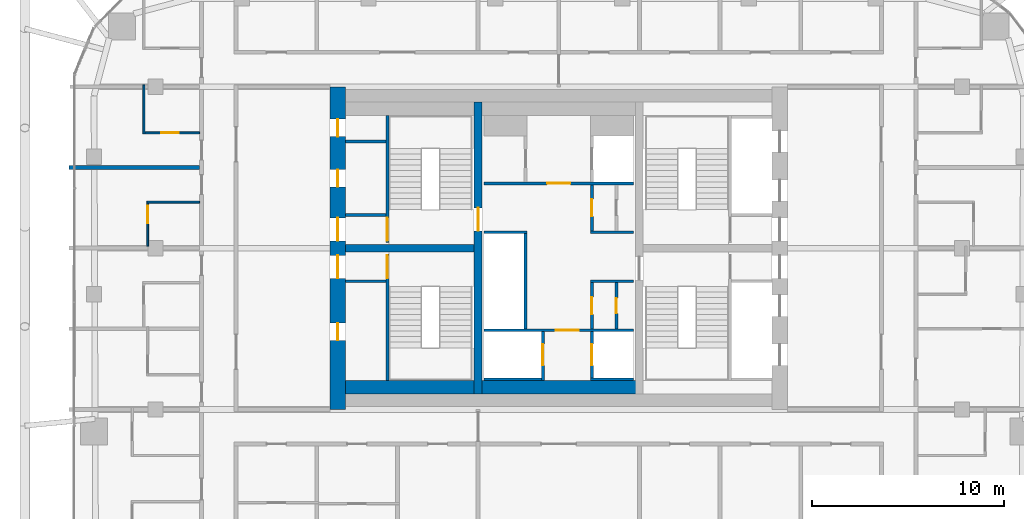
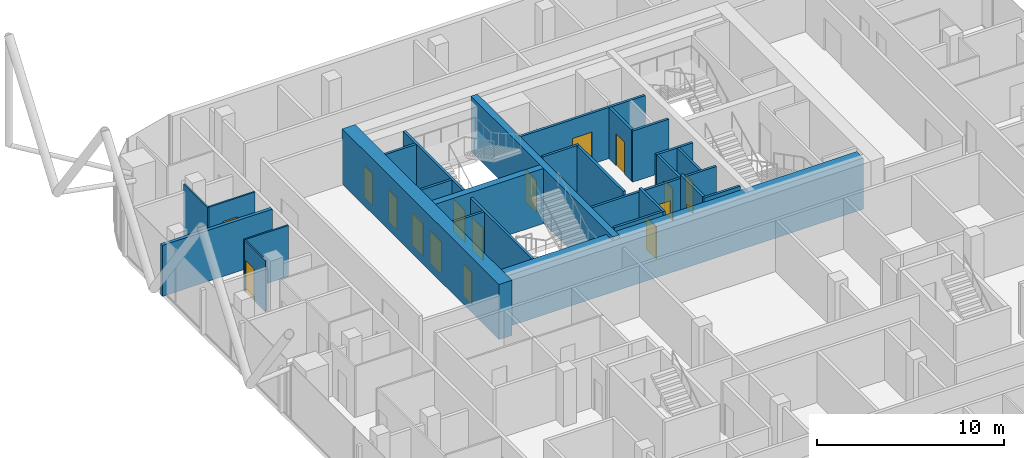
# One storey, part 27 of 31: 27 walls, 17 doors, 17 openings.
"""IFC4 building model written with IfcOpenShell, lengths in metres."""

from ifc_helpers import new_model, si_unit, direction, frame, frame_2d, origin, place, context, subcontext, project, spatial, rectangle, extrude, material, layer, layer_set, type_object, element, fill, save


model = new_model("IFC4")

# Units and contexts
model_context = context("Model", 3, precision=1e-05, world=origin(), true_north=direction((0.0, 1.0)))
body_context = subcontext(model_context, "Body", "Model", "MODEL_VIEW")
ifc_project = project(units=[si_unit("LENGTHUNIT", "METRE"), si_unit("AREAUNIT", "SQUARE_METRE"), si_unit("VOLUMEUNIT", "CUBIC_METRE"), si_unit("PLANEANGLEUNIT", "RADIAN"), si_unit("MASSUNIT", "GRAM", prefix="KILO")], contexts=[model_context])

# Site, building, storey
site_placement = place(None, origin())
site = spatial("IfcSite", under=ifc_project, at=site_placement, CompositionType="ELEMENT")
building_placement = place(site_placement, origin())
building = spatial("IfcBuilding", under=site, at=building_placement, Name="Marenta Gate Hotel Tower", CompositionType="ELEMENT")
storey_placement = place(building_placement, frame((0.0, 0.0, 234.5)))
storey = spatial("IfcBuildingStorey", under=building, at=storey_placement, Name="L55", CompositionType="ELEMENT", Elevation=234.5)

# Wall
ifc_material_1 = material(Name="Concrete C40", Category="concrete")
ifc_layer_1 = layer(ifc_material_1, 0.699951171875)
ifc_layer_set_1 = layer_set([ifc_layer_1], Name="Concrete C40")
wall_type_1 = type_object("IfcWallType", Name="Core lining wall 700 REI 180", PredefinedType="PARTITIONING", material=ifc_layer_set_1)
wall_1_placement = place(storey_placement, frame((-11.10009765625, 1.14990234375, 0.0), z_axis=(0.0, 0.0, 1.0), x_axis=(1.0, 0.0, 0.0)))
element("IfcWall", 1, at=wall_1_placement, inside=storey, type_object=wall_type_1, Name="L55-CP-LN-S", PredefinedType="PARTITIONING", context=body_context, shape_type="SweptSolid", body=[
    extrude(rectangle(XDim=22.2001953125, YDim=0.699951171875, at=frame_2d((11.10009765625, 0.0))), origin(), (0.0, 0.0, 1.0), 3.340087890625),
])

# Wall, opening, door
ifc_material_2 = material(Name="Concrete blockwork", Category="masonry")
ifc_layer_2 = layer(ifc_material_2, 0.14990234375)
ifc_layer_set_2 = layer_set([ifc_layer_2], Name="Concrete blockwork")
wall_type_2 = type_object("IfcWallType", Name="Core lobby partition 150 REI 180", PredefinedType="PARTITIONING", material=ifc_layer_set_2)
wall_2_placement = place(storey_placement, frame((-3.89990234375, 4.125, 0.0), z_axis=(0.0, 0.0, 1.0), x_axis=(1.0, 0.0, 0.0)))
wall_2 = element("IfcWall", 2, at=wall_2_placement, inside=storey, type_object=wall_type_2, Name="L55-CP-CW-S", PredefinedType="PARTITIONING", context=body_context, shape_type="SweptSolid", body=[
    extrude(rectangle(XDim=7.7998046875, YDim=0.14990234375, at=frame_2d((3.89990234375, 0.0))), origin(), (0.0, 0.0, 1.0), 3.340087890625),
])
opening_1_placement = place(wall_2_placement, frame((3.75, 0.0, 0.0)))
opening_1 = element("IfcOpeningElement", 3, at=opening_1_placement, cuts=wall_2, Name="Opening FD-FFS", PredefinedType="OPENING", context=body_context, shape_type="SweptSolid", body=[
    extrude(rectangle(XDim=1.199951171875, YDim=2.10009765625, at=frame_2d((0.60009765625, 1.050048828125))), frame((0.0, 0.074951171875, 0.0), z_axis=(0.0, -1.0, 0.0), x_axis=(1.0, 0.0, 0.0)), (0.0, 0.0, 1.0), 0.14990234375),
])
ifc_material_3 = material(Name="Steel", Category="steel")
door_type_1 = type_object("IfcDoorType", Name="Core lobby door 1200x2100 FD60", OperationType="SINGLE_SWING_LEFT", PredefinedType="DOOR", material=ifc_material_3)
door_1_placement = place(opening_1_placement, origin())
door_1 = element("IfcDoor", 4, at=door_1_placement, inside=storey, type_object=door_type_1, Name="FD-FFS", OperationType="SINGLE_SWING_LEFT", OverallHeight=2.10009765625, OverallWidth=1.199951171875, PredefinedType="DOOR", context=body_context, shape_type="SweptSolid", body=[
    extrude(rectangle(XDim=1.199951171875, YDim=2.10009765625, at=frame_2d((0.60009765625, 1.050048828125))), frame((0.0, 0.02490234375, 0.0), z_axis=(0.0, -1.0, 0.0), x_axis=(1.0, 0.0, 0.0)), (0.0, 0.0, 1.0), 0.050048828125),
])
fill(opening_1, door_1)

wall_3_placement = place(storey_placement, frame((-3.89990234375, 11.77490234375, 0.0), z_axis=(0.0, 0.0, 1.0), x_axis=(1.0, 0.0, 0.0)))
wall_3 = element("IfcWall", 5, at=wall_3_placement, inside=storey, type_object=wall_type_2, Name="L55-CP-CW-N", PredefinedType="PARTITIONING", context=body_context, shape_type="SweptSolid", body=[
    extrude(rectangle(XDim=7.7998046875, YDim=0.14990234375, at=frame_2d((3.89990234375, 0.0))), origin(), (0.0, 0.0, 1.0), 3.340087890625),
])
opening_2_placement = place(wall_3_placement, frame((3.300048828125, 0.0, 0.0)))
opening_2 = element("IfcOpeningElement", 6, at=opening_2_placement, cuts=wall_3, Name="Opening FD-FFN", PredefinedType="OPENING", context=body_context, shape_type="SweptSolid", body=[
    extrude(rectangle(XDim=1.199951171875, YDim=2.10009765625, at=frame_2d((0.60009765625, 1.050048828125))), frame((0.0, 0.074951171875, 0.0), z_axis=(0.0, -1.0, 0.0), x_axis=(1.0, 0.0, 0.0)), (0.0, 0.0, 1.0), 0.14990234375),
])
door_2_placement = place(opening_2_placement, origin())
door_2 = element("IfcDoor", 7, at=door_2_placement, inside=storey, type_object=door_type_1, Name="FD-FFN", OperationType="SINGLE_SWING_LEFT", OverallHeight=2.10009765625, OverallWidth=1.199951171875, PredefinedType="DOOR", context=body_context, shape_type="SweptSolid", body=[
    extrude(rectangle(XDim=1.199951171875, YDim=2.10009765625, at=frame_2d((0.60009765625, 1.050048828125))), frame((0.0, 0.02490234375, 0.0), z_axis=(0.0, -1.0, 0.0), x_axis=(1.0, 0.0, 0.0)), (0.0, 0.0, 1.0), 0.050048828125),
])
fill(opening_2, door_2)

# Walls
ifc_material_4 = material(Name="Concrete blockwork", Category="masonry")
ifc_layer_3 = layer(ifc_material_4, 0.14990234375)
ifc_layer_set_3 = layer_set([ifc_layer_3], Name="Concrete blockwork")
wall_type_3 = type_object("IfcWallType", Name="Core room partition 150 REI 180", PredefinedType="PARTITIONING", material=ifc_layer_set_3)
for number, where, z_axis, x_axis, name in (
    (8, (-11.10009765625, 6.675048828125, 0.0), (0.0, 0.0, 1.0), (1.0, 0.0, 0.0), "L55-CP-SW-WS-2"),
    (9, (-11.10009765625, 10.125, 0.0), (0.0, 0.0, 1.0), (1.0, 0.0, 0.0), "L55-CP-SW-WN-2"),
    (10, (-11.10009765625, 13.949951171875, 0.0), (0.0, 0.0, 1.0), (1.0, 0.0, 0.0), "L55-CP-RW-WN-1"),
):
    element("IfcWall", number, at=place(storey_placement, frame(where, z_axis=z_axis, x_axis=x_axis)), inside=storey, type_object=wall_type_3, Name=name, PredefinedType="PARTITIONING", context=body_context, shape_type="SweptSolid", body=[
        extrude(rectangle(XDim=2.10009765625, YDim=0.14990234375, at=frame_2d((1.050048828125, 0.0))), origin(), (0.0, 0.0, 1.0), 3.340087890625),
    ])
for number, where, z_axis, x_axis, name in (
    (11, (1.64990234375, 6.675048828125, 0.0), (0.0, 0.0, 1.0), (1.0, 0.0, 0.0), "L55-CP-CE-sep1"),
    (12, (1.64990234375, 9.22509765625, 0.0), (0.0, 0.0, 1.0), (1.0, 0.0, 0.0), "L55-CP-CE-sep2"),
):
    element("IfcWall", number, at=place(storey_placement, frame(where, z_axis=z_axis, x_axis=x_axis)), inside=storey, type_object=wall_type_3, Name=name, PredefinedType="PARTITIONING", context=body_context, shape_type="SweptSolid", body=[
        extrude(rectangle(XDim=2.25, YDim=0.14990234375, at=frame_2d((1.125, 0.0))), origin(), (0.0, 0.0, 1.0), 3.340087890625),
    ])

# Wall, opening, door
wall_4_placement = place(storey_placement, frame((1.72509765625, 4.199951171875, 0.0), z_axis=(0.0, 0.0, 1.0), x_axis=(0.0, 1.0, 0.0)))
wall_4 = element("IfcWall", 13, at=wall_4_placement, inside=storey, type_object=wall_type_3, Name="L55-CP-CE-front-1", PredefinedType="PARTITIONING", context=body_context, shape_type="SweptSolid", body=[
    extrude(rectangle(XDim=2.400146484375, YDim=0.14990234375, at=frame_2d((1.2001953125, 0.0))), origin(), (0.0, 0.0, 1.0), 3.340087890625),
])
opening_3_placement = place(wall_4_placement, frame((0.75, 0.0, 0.0)))
opening_3 = element("IfcOpeningElement", 14, at=opening_3_placement, cuts=wall_4, Name="Opening RD-CE-1a", PredefinedType="OPENING", context=body_context, shape_type="SweptSolid", body=[
    extrude(rectangle(XDim=0.89990234375, YDim=2.10009765625, at=frame_2d((0.449951171875, 1.050048828125))), frame((0.0, 0.074951171875, 0.0), z_axis=(0.0, -1.0, 0.0), x_axis=(1.0, 0.0, 0.0)), (0.0, 0.0, 1.0), 0.14990234375),
])
ifc_material_5 = material(Name="Steel", Category="steel")
door_type_2 = type_object("IfcDoorType", Name="Core service room door 900x2100 FD30S", OperationType="SINGLE_SWING_LEFT", PredefinedType="DOOR", material=ifc_material_5)
door_3_placement = place(opening_3_placement, origin())
door_3 = element("IfcDoor", 15, at=door_3_placement, inside=storey, type_object=door_type_2, Name="RD-CE-1a", OperationType="SINGLE_SWING_LEFT", OverallHeight=2.10009765625, OverallWidth=0.89990234375, PredefinedType="DOOR", context=body_context, shape_type="SweptSolid", body=[
    extrude(rectangle(XDim=0.89990234375, YDim=2.10009765625, at=frame_2d((0.449951171875, 1.050048828125))), frame((0.0, 0.02490234375, 0.0), z_axis=(0.0, -1.0, 0.0), x_axis=(1.0, 0.0, 0.0)), (0.0, 0.0, 1.0), 0.050048828125),
])
fill(opening_3, door_3)

wall_5_placement = place(storey_placement, frame((1.72509765625, 9.300048828125, 0.0), z_axis=(0.0, 0.0, 1.0), x_axis=(0.0, 1.0, 0.0)))
wall_5 = element("IfcWall", 16, at=wall_5_placement, inside=storey, type_object=wall_type_3, Name="L55-CP-CE-front-2", PredefinedType="PARTITIONING", context=body_context, shape_type="SweptSolid", body=[
    extrude(rectangle(XDim=2.39990234375, YDim=0.14990234375, at=frame_2d((1.199951171875, 0.0))), origin(), (0.0, 0.0, 1.0), 3.340087890625),
])
opening_4_placement = place(wall_5_placement, frame((0.75, 0.0, 0.0)))
opening_4 = element("IfcOpeningElement", 17, at=opening_4_placement, cuts=wall_5, Name="Opening RD-CE-2a", PredefinedType="OPENING", context=body_context, shape_type="SweptSolid", body=[
    extrude(rectangle(XDim=0.89990234375, YDim=2.10009765625, at=frame_2d((0.449951171875, 1.050048828125))), frame((0.0, 0.074951171875, 0.0), z_axis=(0.0, -1.0, 0.0), x_axis=(1.0, 0.0, 0.0)), (0.0, 0.0, 1.0), 0.14990234375),
])
door_4_placement = place(opening_4_placement, origin())
door_4 = element("IfcDoor", 18, at=door_4_placement, inside=storey, type_object=door_type_2, Name="RD-CE-2a", OperationType="SINGLE_SWING_LEFT", OverallHeight=2.10009765625, OverallWidth=0.89990234375, PredefinedType="DOOR", context=body_context, shape_type="SweptSolid", body=[
    extrude(rectangle(XDim=0.89990234375, YDim=2.10009765625, at=frame_2d((0.449951171875, 1.050048828125))), frame((0.0, 0.02490234375, 0.0), z_axis=(0.0, -1.0, 0.0), x_axis=(1.0, 0.0, 0.0)), (0.0, 0.0, 1.0), 0.050048828125),
])
fill(opening_4, door_4)

wall_6_placement = place(storey_placement, frame((3.0, 4.199951171875, 0.0), z_axis=(0.0, 0.0, 1.0), x_axis=(0.0, 1.0, 0.0)))
wall_6 = element("IfcWall", 19, at=wall_6_placement, inside=storey, type_object=wall_type_3, Name="L55-CP-CE-RW-1", PredefinedType="PARTITIONING", context=body_context, shape_type="SweptSolid", body=[
    extrude(rectangle(XDim=2.400146484375, YDim=0.14990234375, at=frame_2d((1.2001953125, 0.0))), origin(), (0.0, 0.0, 1.0), 3.340087890625),
])
opening_5_placement = place(wall_6_placement, frame((0.800048828125, 0.0, 0.0)))
opening_5 = element("IfcOpeningElement", 20, at=opening_5_placement, cuts=wall_6, Name="Opening RD-CE-1b-A", PredefinedType="OPENING", context=body_context, shape_type="SweptSolid", body=[
    extrude(rectangle(XDim=0.800048828125, YDim=2.10009765625, at=frame_2d((0.39990234375, 1.050048828125))), frame((0.0, 0.074951171875, 0.0), z_axis=(0.0, -1.0, 0.0), x_axis=(1.0, 0.0, 0.0)), (0.0, 0.0, 1.0), 0.14990234375),
])
ifc_material_6 = material(Name="Steel", Category="steel")
door_type_3 = type_object("IfcDoorType", Name="Core riser door 800x2100 FD60", OperationType="SINGLE_SWING_LEFT", PredefinedType="DOOR", material=ifc_material_6)
door_5_placement = place(opening_5_placement, origin())
door_5 = element("IfcDoor", 21, at=door_5_placement, inside=storey, type_object=door_type_3, Name="RD-CE-1b-A", OperationType="SINGLE_SWING_LEFT", OverallHeight=2.10009765625, OverallWidth=0.800048828125, PredefinedType="DOOR", context=body_context, shape_type="SweptSolid", body=[
    extrude(rectangle(XDim=0.800048828125, YDim=2.10009765625, at=frame_2d((0.39990234375, 1.050048828125))), frame((0.0, 0.02490234375, 0.0), z_axis=(0.0, -1.0, 0.0), x_axis=(1.0, 0.0, 0.0)), (0.0, 0.0, 1.0), 0.050048828125),
])
fill(opening_5, door_5)

ifc_material_7 = material(Name="Concrete C40", Category="concrete")
ifc_layer_4 = layer(ifc_material_7, 0.14990234375)
ifc_layer_set_4 = layer_set([ifc_layer_4], Name="Concrete C40")
wall_type_4 = type_object("IfcWallType", Name="Core shaft wall 150 REI 180", PredefinedType="SHEAR", material=ifc_layer_set_4)
wall_7_placement = place(storey_placement, frame((-0.824951171875, 1.5, 0.0), z_axis=(0.0, 0.0, 1.0), x_axis=(0.0, 1.0, 0.0)))
wall_7 = element("IfcWall", 22, at=wall_7_placement, inside=storey, type_object=wall_type_4, Name="L55-SHF-CW-W-ff", PredefinedType="SHEAR", context=body_context, shape_type="SweptSolid", body=[
    extrude(rectangle(XDim=2.550048828125, YDim=0.14990234375, at=frame_2d((1.27490234375, 0.0))), origin(), (0.0, 0.0, 1.0), 3.60009765625),
])
opening_6_placement = place(wall_7_placement, frame((0.800048828125, 0.0, 0.0)))
opening_6 = element("IfcOpeningElement", 23, at=opening_6_placement, cuts=wall_7, Name="Opening LD-FF1", PredefinedType="OPENING", context=body_context, shape_type="SweptSolid", body=[
    extrude(rectangle(XDim=1.10009765625, YDim=2.10009765625, at=frame_2d((0.550048828125, 1.050048828125))), frame((0.0, 0.074951171875, 0.0), z_axis=(0.0, -1.0, 0.0), x_axis=(1.0, 0.0, 0.0)), (0.0, 0.0, 1.0), 0.14990234375),
])
ifc_material_8 = material(Name="Steel", Category="steel")
door_type_4 = type_object("IfcDoorType", Name="Core lift landing door 1100x2100 E 60", OperationType="SLIDING_TO_LEFT", PredefinedType="DOOR", material=ifc_material_8)
door_6_placement = place(opening_6_placement, origin())
door_6 = element("IfcDoor", 24, at=door_6_placement, inside=storey, type_object=door_type_4, Name="LD-FF1", OperationType="SLIDING_TO_LEFT", OverallHeight=2.10009765625, OverallWidth=1.10009765625, PredefinedType="DOOR", context=body_context, shape_type="SweptSolid", body=[
    extrude(rectangle(XDim=1.10009765625, YDim=2.10009765625, at=frame_2d((0.550048828125, 1.050048828125))), frame((0.0, 0.02490234375, 0.0), z_axis=(0.0, -1.0, 0.0), x_axis=(1.0, 0.0, 0.0)), (0.0, 0.0, 1.0), 0.050048828125),
])
fill(opening_6, door_6)

# Walls
wall_8_placement = place(storey_placement, frame((-3.89990234375, 1.574951171875, 0.0), z_axis=(0.0, 0.0, 1.0), x_axis=(1.0, 0.0, 0.0)))
element("IfcWall", 25, at=wall_8_placement, inside=storey, type_object=wall_type_4, Name="L55-SHF-CW-W-ffs", PredefinedType="SHEAR", context=body_context, shape_type="SweptSolid", body=[
    extrude(rectangle(XDim=3.0, YDim=0.14990234375, at=frame_2d((1.5, 0.0))), origin(), (0.0, 0.0, 1.0), 3.60009765625),
])
wall_9_placement = place(storey_placement, frame((-1.72509765625, 4.199951171875, 0.0), z_axis=(0.0, 0.0, 1.0), x_axis=(0.0, 1.0, 0.0)))
element("IfcWall", 26, at=wall_9_placement, inside=storey, type_object=wall_type_4, Name="L55-SHF-CW-W-front", PredefinedType="SHEAR", context=body_context, shape_type="SweptSolid", body=[
    extrude(rectangle(XDim=4.949951171875, YDim=0.14990234375, at=frame_2d((2.47509765625, 0.0))), origin(), (0.0, 0.0, 1.0), 3.60009765625),
])
wall_10_placement = place(storey_placement, frame((-3.89990234375, 9.22509765625, 0.0), z_axis=(0.0, 0.0, 1.0), x_axis=(1.0, 0.0, 0.0)))
element("IfcWall", 27, at=wall_10_placement, inside=storey, type_object=wall_type_4, Name="L55-SHF-CW-W-sep", PredefinedType="SHEAR", context=body_context, shape_type="SweptSolid", body=[
    extrude(rectangle(XDim=2.25, YDim=0.14990234375, at=frame_2d((1.125, 0.0))), origin(), (0.0, 0.0, 1.0), 3.60009765625),
])

# Wall, opening, door
wall_11_placement = place(storey_placement, frame((1.72509765625, 1.64990234375, 0.0), z_axis=(0.0, 0.0, 1.0), x_axis=(0.0, 1.0, 0.0)))
wall_11 = element("IfcWall", 28, at=wall_11_placement, inside=storey, type_object=wall_type_4, Name="L55-SHF-CE-S-ls", PredefinedType="SHEAR", context=body_context, shape_type="SweptSolid", body=[
    extrude(rectangle(XDim=2.400146484375, YDim=0.14990234375, at=frame_2d((1.2001953125, 0.0))), origin(), (0.0, 0.0, 1.0), 3.60009765625),
])
opening_7_placement = place(wall_11_placement, frame((0.64990234375, 0.0, 0.0)))
opening_7 = element("IfcOpeningElement", 29, at=opening_7_placement, cuts=wall_11, Name="Opening LD-SV1", PredefinedType="OPENING", context=body_context, shape_type="SweptSolid", body=[
    extrude(rectangle(XDim=1.10009765625, YDim=2.10009765625, at=frame_2d((0.550048828125, 1.050048828125))), frame((0.0, 0.074951171875, 0.0), z_axis=(0.0, -1.0, 0.0), x_axis=(1.0, 0.0, 0.0)), (0.0, 0.0, 1.0), 0.14990234375),
])
door_7_placement = place(opening_7_placement, origin())
door_7 = element("IfcDoor", 30, at=door_7_placement, inside=storey, type_object=door_type_4, Name="LD-SV1", OperationType="SLIDING_TO_LEFT", OverallHeight=2.10009765625, OverallWidth=1.10009765625, PredefinedType="DOOR", context=body_context, shape_type="SweptSolid", body=[
    extrude(rectangle(XDim=1.10009765625, YDim=2.10009765625, at=frame_2d((0.550048828125, 1.050048828125))), frame((0.0, 0.02490234375, 0.0), z_axis=(0.0, -1.0, 0.0), x_axis=(1.0, 0.0, 0.0)), (0.0, 0.0, 1.0), 0.050048828125),
])
fill(opening_7, door_7)

# Wall
wall_12_placement = place(storey_placement, frame((1.64990234375, 1.574951171875, 0.0), z_axis=(0.0, 0.0, 1.0), x_axis=(1.0, 0.0, 0.0)))
element("IfcWall", 31, at=wall_12_placement, inside=storey, type_object=wall_type_4, Name="L55-SHF-CE-S-bot", PredefinedType="SHEAR", context=body_context, shape_type="SweptSolid", body=[
    extrude(rectangle(XDim=2.25, YDim=0.14990234375, at=frame_2d((1.125, 0.0))), origin(), (0.0, 0.0, 1.0), 3.60009765625),
])

# Wall, opening, door
ifc_material_9 = material(Name="Concrete C40", Category="concrete")
ifc_layer_5 = layer(ifc_material_9, 0.14990234375)
ifc_layer_set_5 = layer_set([ifc_layer_5], Name="Concrete C40")
wall_type_5 = type_object("IfcWallType", Name="Core stair enclosure wall 150 REI 180", PredefinedType="SHEAR", material=ifc_layer_set_5)
wall_13_placement = place(storey_placement, frame((-8.925048828125, 1.5, 0.0), z_axis=(0.0, 0.0, 1.0), x_axis=(0.0, 1.0, 0.0)))
wall_13 = element("IfcWall", 32, at=wall_13_placement, inside=storey, type_object=wall_type_5, Name="L55-SHF-SW-WS-3", PredefinedType="SHEAR", context=body_context, shape_type="SweptSolid", body=[
    extrude(rectangle(XDim=6.60009765625, YDim=0.14990234375, at=frame_2d((3.300048828125, 0.0))), origin(), (0.0, 0.0, 1.0), 3.340087890625),
])
opening_8_placement = place(wall_13_placement, frame((5.324951171875, 0.0, 0.0)))
opening_8 = element("IfcOpeningElement", 33, at=opening_8_placement, cuts=wall_13, Name="Opening SD-WS", PredefinedType="OPENING", context=body_context, shape_type="SweptSolid", body=[
    extrude(rectangle(XDim=1.199951171875, YDim=2.10009765625, at=frame_2d((0.60009765625, 1.050048828125))), frame((0.0, 0.074951171875, 0.0), z_axis=(0.0, -1.0, 0.0), x_axis=(1.0, 0.0, 0.0)), (0.0, 0.0, 1.0), 0.14990234375),
])
ifc_material_10 = material(Name="Steel", Category="steel")
door_type_5 = type_object("IfcDoorType", Name="Core stair door 1200x2100 FD60", OperationType="SINGLE_SWING_LEFT", PredefinedType="DOOR", material=ifc_material_10)
door_8_placement = place(opening_8_placement, origin())
door_8 = element("IfcDoor", 34, at=door_8_placement, inside=storey, type_object=door_type_5, Name="SD-WS", OperationType="SINGLE_SWING_LEFT", OverallHeight=2.10009765625, OverallWidth=1.199951171875, PredefinedType="DOOR", context=body_context, shape_type="SweptSolid", body=[
    extrude(rectangle(XDim=1.199951171875, YDim=2.10009765625, at=frame_2d((0.60009765625, 1.050048828125))), frame((0.0, 0.02490234375, 0.0), z_axis=(0.0, -1.0, 0.0), x_axis=(1.0, 0.0, 0.0)), (0.0, 0.0, 1.0), 0.050048828125),
])
fill(opening_8, door_8)

wall_14_placement = place(storey_placement, frame((-8.925048828125, 8.699951171875, 0.0), z_axis=(0.0, 0.0, 1.0), x_axis=(0.0, 1.0, 0.0)))
wall_14 = element("IfcWall", 35, at=wall_14_placement, inside=storey, type_object=wall_type_5, Name="L55-SHF-SW-WN-3", PredefinedType="SHEAR", context=body_context, shape_type="SweptSolid", body=[
    extrude(rectangle(XDim=6.60009765625, YDim=0.14990234375, at=frame_2d((3.300048828125, 0.0))), origin(), (0.0, 0.0, 1.0), 3.340087890625),
])
opening_9_placement = place(wall_14_placement, frame((0.074951171875, 0.0, 0.0)))
opening_9 = element("IfcOpeningElement", 36, at=opening_9_placement, cuts=wall_14, Name="Opening SD-WN", PredefinedType="OPENING", context=body_context, shape_type="SweptSolid", body=[
    extrude(rectangle(XDim=1.199951171875, YDim=2.10009765625, at=frame_2d((0.60009765625, 1.050048828125))), frame((0.0, 0.074951171875, 0.0), z_axis=(0.0, -1.0, 0.0), x_axis=(1.0, 0.0, 0.0)), (0.0, 0.0, 1.0), 0.14990234375),
])
door_9_placement = place(opening_9_placement, origin())
door_9 = element("IfcDoor", 37, at=door_9_placement, inside=storey, type_object=door_type_5, Name="SD-WN", OperationType="SINGLE_SWING_LEFT", OverallHeight=2.10009765625, OverallWidth=1.199951171875, PredefinedType="DOOR", context=body_context, shape_type="SweptSolid", body=[
    extrude(rectangle(XDim=1.199951171875, YDim=2.10009765625, at=frame_2d((0.60009765625, 1.050048828125))), frame((0.0, 0.02490234375, 0.0), z_axis=(0.0, -1.0, 0.0), x_axis=(1.0, 0.0, 0.0)), (0.0, 0.0, 1.0), 0.050048828125),
])
fill(opening_9, door_9)

# Wall, openings, doors
ifc_material_11 = material(Name="Concrete C60", Category="concrete")
ifc_layer_6 = layer(ifc_material_11, 0.800048828125)
ifc_layer_set_6 = layer_set([ifc_layer_6], Name="Concrete C60")
wall_type_6 = type_object("IfcWallType", Name="Core wall 800 C60", PredefinedType="SHEAR", material=ifc_layer_set_6)
wall_15_placement = place(storey_placement, frame((-11.5, 0.0, 0.0), z_axis=(0.0, 0.0, 1.0), x_axis=(0.0, 1.0, 0.0)))
wall_15 = element("IfcWall", 38, at=wall_15_placement, inside=storey, type_object=wall_type_6, Name="L55-CORE-W", PredefinedType="SHEAR", context=body_context, shape_type="SweptSolid", body=[
    extrude(rectangle(XDim=16.800048828125, YDim=0.800048828125, at=frame_2d((8.39990234375, 0.0))), origin(), (0.0, 0.0, 1.0), 3.60009765625),
])
opening_10_placement = place(wall_15_placement, frame((3.60009765625, 0.0, 0.0)))
opening_10 = element("IfcOpeningElement", 39, at=opening_10_placement, cuts=wall_15, Name="Opening RD-WS-1", PredefinedType="OPENING", context=body_context, shape_type="SweptSolid", body=[
    extrude(rectangle(XDim=0.89990234375, YDim=2.10009765625, at=frame_2d((0.449951171875, 1.050048828125))), frame((0.0, 0.39990234375, 0.0), z_axis=(0.0, -1.0, 0.0), x_axis=(1.0, 0.0, 0.0)), (0.0, 0.0, 1.0), 0.800048828125),
])
opening_11_placement = place(wall_15_placement, frame((6.824951171875, 0.0, 0.0)))
opening_11 = element("IfcOpeningElement", 40, at=opening_11_placement, cuts=wall_15, Name="Opening PD-WS", PredefinedType="OPENING", context=body_context, shape_type="SweptSolid", body=[
    extrude(rectangle(XDim=1.199951171875, YDim=2.10009765625, at=frame_2d((0.60009765625, 1.050048828125))), frame((0.0, 0.39990234375, 0.0), z_axis=(0.0, -1.0, 0.0), x_axis=(1.0, 0.0, 0.0)), (0.0, 0.0, 1.0), 0.800048828125),
])
opening_12_placement = place(wall_15_placement, frame((14.21240234375, 0.0, 0.0)))
opening_12 = element("IfcOpeningElement", 41, at=opening_12_placement, cuts=wall_15, Name="Opening RD-WN-1", PredefinedType="OPENING", context=body_context, shape_type="SweptSolid", body=[
    extrude(rectangle(XDim=0.89990234375, YDim=2.10009765625, at=frame_2d((0.449951171875, 1.050048828125))), frame((0.0, 0.39990234375, 0.0), z_axis=(0.0, -1.0, 0.0), x_axis=(1.0, 0.0, 0.0)), (0.0, 0.0, 1.0), 0.800048828125),
])
opening_13_placement = place(wall_15_placement, frame((11.58740234375, 0.0, 0.0)))
opening_13 = element("IfcOpeningElement", 42, at=opening_13_placement, cuts=wall_15, Name="Opening RD-WN-2", PredefinedType="OPENING", context=body_context, shape_type="SweptSolid", body=[
    extrude(rectangle(XDim=0.89990234375, YDim=2.10009765625, at=frame_2d((0.449951171875, 1.050048828125))), frame((0.0, 0.39990234375, 0.0), z_axis=(0.0, -1.0, 0.0), x_axis=(1.0, 0.0, 0.0)), (0.0, 0.0, 1.0), 0.800048828125),
])
opening_14_placement = place(wall_15_placement, frame((8.77490234375, 0.0, 0.0)))
opening_14 = element("IfcOpeningElement", 43, at=opening_14_placement, cuts=wall_15, Name="Opening PD-WN", PredefinedType="OPENING", context=body_context, shape_type="SweptSolid", body=[
    extrude(rectangle(XDim=1.199951171875, YDim=2.10009765625, at=frame_2d((0.60009765625, 1.050048828125))), frame((0.0, 0.39990234375, 0.0), z_axis=(0.0, -1.0, 0.0), x_axis=(1.0, 0.0, 0.0)), (0.0, 0.0, 1.0), 0.800048828125),
])
door_10_placement = place(opening_11_placement, origin())
door_10 = element("IfcDoor", 44, at=door_10_placement, inside=storey, type_object=door_type_1, Name="PD-WS", OperationType="SINGLE_SWING_LEFT", OverallHeight=2.10009765625, OverallWidth=1.199951171875, PredefinedType="DOOR", context=body_context, shape_type="SweptSolid", body=[
    extrude(rectangle(XDim=1.199951171875, YDim=2.10009765625, at=frame_2d((0.60009765625, 1.050048828125))), frame((0.0, 0.02490234375, 0.0), z_axis=(0.0, -1.0, 0.0), x_axis=(1.0, 0.0, 0.0)), (0.0, 0.0, 1.0), 0.050048828125),
])
fill(opening_11, door_10)
door_11_placement = place(opening_14_placement, origin())
door_11 = element("IfcDoor", 45, at=door_11_placement, inside=storey, type_object=door_type_1, Name="PD-WN", OperationType="SINGLE_SWING_LEFT", OverallHeight=2.10009765625, OverallWidth=1.199951171875, PredefinedType="DOOR", context=body_context, shape_type="SweptSolid", body=[
    extrude(rectangle(XDim=1.199951171875, YDim=2.10009765625, at=frame_2d((0.60009765625, 1.050048828125))), frame((0.0, 0.02490234375, 0.0), z_axis=(0.0, -1.0, 0.0), x_axis=(1.0, 0.0, 0.0)), (0.0, 0.0, 1.0), 0.050048828125),
])
fill(opening_14, door_11)
door_12_placement = place(opening_10_placement, origin())
door_12 = element("IfcDoor", 46, at=door_12_placement, inside=storey, type_object=door_type_2, Name="RD-WS-1", OperationType="SINGLE_SWING_LEFT", OverallHeight=2.10009765625, OverallWidth=0.89990234375, PredefinedType="DOOR", context=body_context, shape_type="SweptSolid", body=[
    extrude(rectangle(XDim=0.89990234375, YDim=2.10009765625, at=frame_2d((0.449951171875, 1.050048828125))), frame((0.0, 0.02490234375, 0.0), z_axis=(0.0, -1.0, 0.0), x_axis=(1.0, 0.0, 0.0)), (0.0, 0.0, 1.0), 0.050048828125),
])
fill(opening_10, door_12)
door_13_placement = place(opening_12_placement, origin())
door_13 = element("IfcDoor", 47, at=door_13_placement, inside=storey, type_object=door_type_2, Name="RD-WN-1", OperationType="SINGLE_SWING_LEFT", OverallHeight=2.10009765625, OverallWidth=0.89990234375, PredefinedType="DOOR", context=body_context, shape_type="SweptSolid", body=[
    extrude(rectangle(XDim=0.89990234375, YDim=2.10009765625, at=frame_2d((0.449951171875, 1.050048828125))), frame((0.0, 0.02490234375, 0.0), z_axis=(0.0, -1.0, 0.0), x_axis=(1.0, 0.0, 0.0)), (0.0, 0.0, 1.0), 0.050048828125),
])
fill(opening_12, door_13)
door_14_placement = place(opening_13_placement, origin())
door_14 = element("IfcDoor", 48, at=door_14_placement, inside=storey, type_object=door_type_2, Name="RD-WN-2", OperationType="SINGLE_SWING_LEFT", OverallHeight=2.10009765625, OverallWidth=0.89990234375, PredefinedType="DOOR", context=body_context, shape_type="SweptSolid", body=[
    extrude(rectangle(XDim=0.89990234375, YDim=2.10009765625, at=frame_2d((0.449951171875, 1.050048828125))), frame((0.0, 0.02490234375, 0.0), z_axis=(0.0, -1.0, 0.0), x_axis=(1.0, 0.0, 0.0)), (0.0, 0.0, 1.0), 0.050048828125),
])
fill(opening_13, door_14)

# Wall, opening, door
ifc_material_12 = material(Name="Concrete C60", Category="concrete")
ifc_layer_7 = layer(ifc_material_12, 0.39990234375)
ifc_layer_set_7 = layer_set([ifc_layer_7], Name="Concrete C60")
wall_type_7 = type_object("IfcWallType", Name="Core web 400 C60", PredefinedType="SHEAR", material=ifc_layer_set_7)
wall_16_placement = place(storey_placement, frame((-4.199951171875, 0.800048828125, 0.0), z_axis=(0.0, 0.0, 1.0), x_axis=(0.0, 1.0, 0.0)))
wall_16 = element("IfcWall", 49, at=wall_16_placement, inside=storey, type_object=wall_type_7, Name="L55-CORE-W1", PredefinedType="SHEAR", context=body_context, shape_type="SweptSolid", body=[
    extrude(rectangle(XDim=15.199951171875, YDim=0.39990234375, at=frame_2d((7.60009765625, 0.0))), origin(), (0.0, 0.0, 1.0), 3.60009765625),
])
opening_15_placement = place(wall_16_placement, frame((8.5, 0.0, 0.0)))
opening_15 = element("IfcOpeningElement", 50, at=opening_15_placement, cuts=wall_16, Name="Opening WD-W", PredefinedType="OPENING", context=body_context, shape_type="SweptSolid", body=[
    extrude(rectangle(XDim=1.199951171875, YDim=2.10009765625, at=frame_2d((0.60009765625, 1.050048828125))), frame((0.0, 0.199951171875, 0.0), z_axis=(0.0, -1.0, 0.0), x_axis=(1.0, 0.0, 0.0)), (0.0, 0.0, 1.0), 0.39990234375),
])
door_15_placement = place(opening_15_placement, origin())
door_15 = element("IfcDoor", 51, at=door_15_placement, inside=storey, type_object=door_type_5, Name="WD-W", OperationType="SINGLE_SWING_LEFT", OverallHeight=2.10009765625, OverallWidth=1.199951171875, PredefinedType="DOOR", context=body_context, shape_type="SweptSolid", body=[
    extrude(rectangle(XDim=1.199951171875, YDim=2.10009765625, at=frame_2d((0.60009765625, 1.050048828125))), frame((0.0, 0.02490234375, 0.0), z_axis=(0.0, -1.0, 0.0), x_axis=(1.0, 0.0, 0.0)), (0.0, 0.0, 1.0), 0.050048828125),
])
fill(opening_15, door_15)

# Walls
wall_17_placement = place(storey_placement, frame((-11.10009765625, 8.39990234375, 0.0), z_axis=(0.0, 0.0, 1.0), x_axis=(1.0, 0.0, 0.0)))
element("IfcWall", 52, at=wall_17_placement, inside=storey, type_object=wall_type_7, Name="L55-CORE-W3", PredefinedType="SHEAR", context=body_context, shape_type="SweptSolid", body=[
    extrude(rectangle(XDim=6.7001953125, YDim=0.39990234375, at=frame_2d((3.35009765625, 0.0))), origin(), (0.0, 0.0, 1.0), 3.60009765625),
])
ifc_material_13 = material(Name="Gypsum board on steel stud", Category="steel")
ifc_layer_8 = layer(ifc_material_13, 0.10009765625)
ifc_layer_set_8 = layer_set([ifc_layer_8], Name="Gypsum board on steel stud")
wall_type_8 = type_object("IfcWallType", Name="Room partition 100", PredefinedType="PARTITIONING", material=ifc_layer_set_8)
wall_18_placement = place(storey_placement, frame((-21.449951171875, 10.800048828125, 0.0), z_axis=(0.0, 0.0, 1.0), x_axis=(1.0, 0.0, 0.0)))
element("IfcWall", 53, at=wall_18_placement, inside=storey, type_object=wall_type_8, Name="L55-PTN-W095", PredefinedType="PARTITIONING", context=body_context, shape_type="SweptSolid", body=[
    extrude(rectangle(XDim=2.75, YDim=0.10009765625, at=frame_2d((1.375, 0.0))), origin(), (0.0, 0.0, 1.0), 3.340087890625),
])

# Wall, opening, door
wall_19_placement = place(storey_placement, frame((-21.550048828125, 14.39990234375, 0.0), z_axis=(0.0, 0.0, 1.0), x_axis=(1.0, 0.0, 0.0)))
wall_19 = element("IfcWall", 54, at=wall_19_placement, inside=storey, type_object=wall_type_8, Name="L55-PTN-W104", PredefinedType="PARTITIONING", context=body_context, shape_type="SweptSolid", body=[
    extrude(rectangle(XDim=2.85009765625, YDim=0.10009765625, at=frame_2d((1.425048828125, 0.0))), origin(), (0.0, 0.0, 1.0), 3.340087890625),
])
opening_16_placement = place(wall_19_placement, frame((0.85009765625, 0.0, 0.0)))
opening_16 = element("IfcOpeningElement", 55, at=opening_16_placement, cuts=wall_19, Name="Opening G20-69", PredefinedType="OPENING", context=body_context, shape_type="SweptSolid", body=[
    extrude(rectangle(XDim=0.89990234375, YDim=2.10009765625, at=frame_2d((0.449951171875, 1.050048828125))), frame((0.0, 0.050048828125, 0.0), z_axis=(0.0, -1.0, 0.0), x_axis=(1.0, 0.0, 0.0)), (0.0, 0.0, 1.0), 0.10009765625),
])
ifc_material_14 = material(Name="Timber door leaf", Category="wood")
door_type_6 = type_object("IfcDoorType", Name="Guest bathroom door 900x2100", OperationType="NOTDEFINED", PredefinedType="DOOR", material=ifc_material_14)
door_16_placement = place(opening_16_placement, origin())
door_16 = element("IfcDoor", 56, at=door_16_placement, inside=storey, type_object=door_type_6, Name="L55-PD-D069", OperationType="SINGLE_SWING_LEFT", OverallHeight=2.10009765625, OverallWidth=0.89990234375, PredefinedType="DOOR", context=body_context, shape_type="SweptSolid", body=[
    extrude(rectangle(XDim=0.89990234375, YDim=2.10009765625, at=frame_2d((0.449951171875, 1.050048828125))), frame((0.0, 0.02490234375, 0.0), z_axis=(0.0, -1.0, 0.0), x_axis=(1.0, 0.0, 0.0)), (0.0, 0.0, 1.0), 0.050048828125),
])
fill(opening_16, door_16)

wall_20_placement = place(storey_placement, frame((-21.39990234375, 8.5, 0.0), z_axis=(0.0, 0.0, 1.0), x_axis=(0.0, 1.0, 0.0)))
wall_20 = element("IfcWall", 57, at=wall_20_placement, inside=storey, type_object=wall_type_8, Name="L55-PTN-W119", PredefinedType="PARTITIONING", context=body_context, shape_type="SweptSolid", body=[
    extrude(rectangle(XDim=2.25, YDim=0.10009765625, at=frame_2d((1.125, 0.0))), origin(), (0.0, 0.0, 1.0), 3.340087890625),
])
opening_17_placement = place(wall_20_placement, frame((1.199951171875, 0.0, 0.0)))
opening_17 = element("IfcOpeningElement", 58, at=opening_17_placement, cuts=wall_20, Name="Opening G20-67", PredefinedType="OPENING", context=body_context, shape_type="SweptSolid", body=[
    extrude(rectangle(XDim=0.89990234375, YDim=2.10009765625, at=frame_2d((0.449951171875, 1.050048828125))), frame((0.0, 0.050048828125, 0.0), z_axis=(0.0, -1.0, 0.0), x_axis=(1.0, 0.0, 0.0)), (0.0, 0.0, 1.0), 0.10009765625),
])
door_17_placement = place(opening_17_placement, origin())
door_17 = element("IfcDoor", 59, at=door_17_placement, inside=storey, type_object=door_type_6, Name="L55-PD-D067", OperationType="SINGLE_SWING_LEFT", OverallHeight=2.10009765625, OverallWidth=0.89990234375, PredefinedType="DOOR", context=body_context, shape_type="SweptSolid", body=[
    extrude(rectangle(XDim=0.89990234375, YDim=2.10009765625, at=frame_2d((0.449951171875, 1.050048828125))), frame((0.0, 0.02490234375, 0.0), z_axis=(0.0, -1.0, 0.0), x_axis=(1.0, 0.0, 0.0)), (0.0, 0.0, 1.0), 0.050048828125),
])
fill(opening_17, door_17)

# Walls
wall_21_placement = place(storey_placement, frame((-21.60009765625, 14.35009765625, 0.0), z_axis=(0.0, 0.0, 1.0), x_axis=(0.0, 1.0, 0.0)))
element("IfcWall", 60, at=wall_21_placement, inside=storey, type_object=wall_type_8, Name="L55-PTN-W121", PredefinedType="PARTITIONING", context=body_context, shape_type="SweptSolid", body=[
    extrude(rectangle(XDim=2.5498046875, YDim=0.10009765625, at=frame_2d((1.27490234375, 0.0))), origin(), (0.0, 0.0, 1.0), 3.340087890625),
])
ifc_material_15 = material(Name="Gypsum board on steel stud", Category="steel")
ifc_layer_9 = layer(ifc_material_15, 0.199951171875)
ifc_layer_set_9 = layer_set([ifc_layer_9], Name="Gypsum board on steel stud")
wall_type_9 = type_object("IfcWallType", Name="Room party wall 200 EI 60", PredefinedType="PARTITIONING", material=ifc_layer_set_9)
wall_22_placement = place(storey_placement, frame((-25.5, 12.60009765625, 0.0), z_axis=(0.0, 0.0, 1.0), x_axis=(1.0, 0.0, 0.0)))
element("IfcWall", 61, at=wall_22_placement, inside=storey, type_object=wall_type_9, Name="L55-PTN-W102", PredefinedType="PARTITIONING", context=body_context, shape_type="SweptSolid", body=[
    extrude(rectangle(XDim=6.800048828125, YDim=0.199951171875, at=frame_2d((3.39990234375, 0.0))), origin(), (0.0, 0.0, 1.0), 3.340087890625),
])

save(model, "model.ifc")
